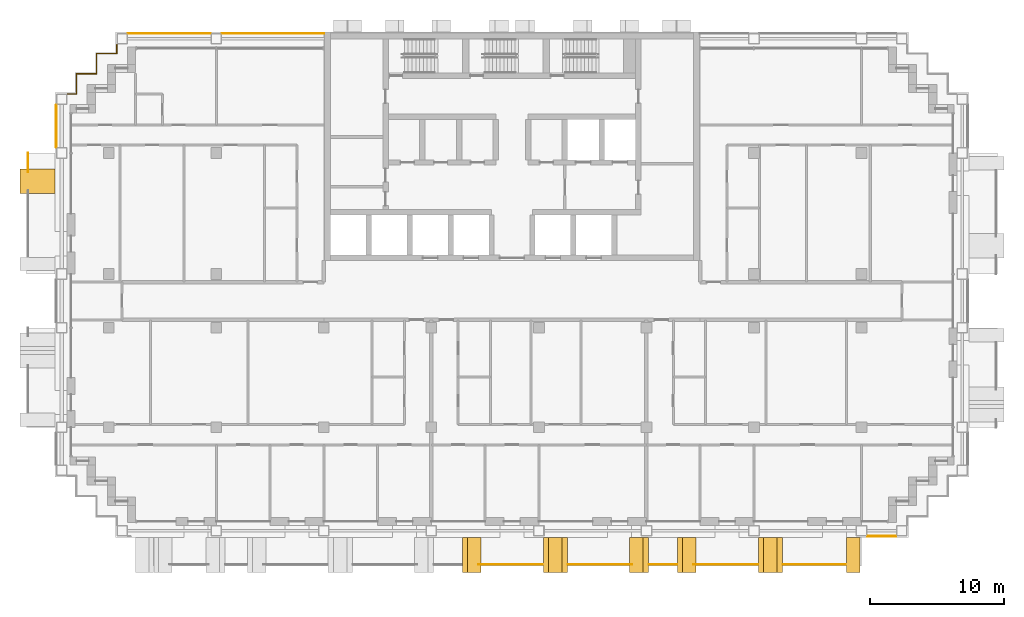
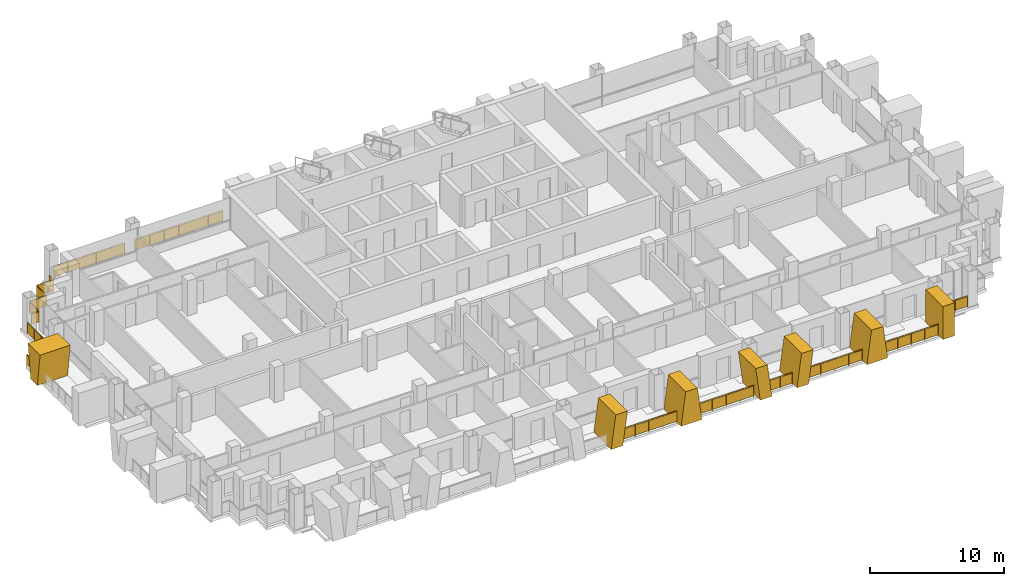
# One storey, part 14 of 16: 11 railings, 7 shading devices.
"""IFC4 building model written with IfcOpenShell, lengths in metres."""

from ifc_helpers import new_model, si_unit, direction, frame, origin, origin_2d, place, context, subcontext, project, spatial, polyline, rectangle, circle, outline, extrude, material, layer, layer_set, type_object, element, save


model = new_model("IFC4")

# Units and contexts
model_context = context("Model", 3, precision=1e-05, world=origin(), true_north=direction((0.0, 1.0)))
body_context = subcontext(model_context, "Body", "Model", "MODEL_VIEW")
ifc_project = project(units=[si_unit("LENGTHUNIT", "METRE"), si_unit("AREAUNIT", "SQUARE_METRE"), si_unit("VOLUMEUNIT", "CUBIC_METRE"), si_unit("PLANEANGLEUNIT", "RADIAN"), si_unit("MASSUNIT", "GRAM", prefix="KILO")], contexts=[model_context])

# Site, building, storey
site_placement = place(None, origin())
site = spatial("IfcSite", under=ifc_project, at=site_placement, CompositionType="ELEMENT")
building_placement = place(site_placement, origin())
building = spatial("IfcBuilding", under=site, at=building_placement, Name="Vidyagriha Tower", CompositionType="ELEMENT")
storey_placement = place(building_placement, frame((0.0, 0.0, 132.60009765625)))
storey = spatial("IfcBuildingStorey", under=building, at=storey_placement, Name="L34", CompositionType="ELEMENT", Elevation=132.60009765625)

# Railings
ifc_material_1 = material(Name="Steel ASTM A500 Grade C black painted", Category="steel")
railing_type_1 = type_object("IfcRailingType", Name="Balcony guard 1100", PredefinedType="BALUSTRADE", material=ifc_material_1)
railing_1_placement = place(storey_placement, frame((-36.0, 11.0, 0.0)))
element("IfcRailing", 1, at=railing_1_placement, inside=storey, type_object=railing_type_1, Name="Balcony guard L34 R16.1-1", PredefinedType="BALUSTRADE", context=body_context, shape_type="SweptSolid", body=[
    extrude(circle(Radius=0.02490234375, at=origin_2d()), frame((0.0, 0.0, 1.0751953125), z_axis=(0.0, -1.0, 0.0), x_axis=(1.0, 0.0, 0.0)), (0.0, 0.0, 1.0), 1.396728515625),
    extrude(circle(Radius=0.02001953125, at=origin_2d()), origin(), (0.0, 0.0, 1.0), 1.050048828125),
    extrude(circle(Radius=0.02001953125, at=origin_2d()), frame((0.0, -0.6982421875, 0.0)), (0.0, 0.0, 1.0), 1.050048828125),
    extrude(circle(Radius=0.02001953125, at=origin_2d()), frame((0.0, -1.396728515625, 0.0)), (0.0, 0.0, 1.0), 1.050048828125),
    extrude(rectangle(XDim=0.010009765625, YDim=0.900146484375, at=origin_2d()), frame((0.0, 0.0, 0.550048828125), z_axis=(0.0, -1.0, 0.0), x_axis=(1.0, 0.0, 0.0)), (0.0, 0.0, 1.0), 1.396728515625),
])
for number, where, name in (
    (2, (-2.49365234375, -19.60009765625, 0.0), "Balcony guard L34 R23.1-6"),
    (3, (4.169921875, -19.60009765625, 0.0), "Balcony guard L34 R23.1-7"),
):
    element("IfcRailing", number, at=place(storey_placement, frame(where)), inside=storey, type_object=railing_type_1, Name=name, PredefinedType="BALUSTRADE", context=body_context, shape_type="SweptSolid", body=[
        extrude(circle(Radius=0.02490234375, at=origin_2d()), frame((0.0, 0.0, 1.0751953125), z_axis=(1.0, 0.0, 0.0), x_axis=(0.0, 1.0, 0.0)), (0.0, 0.0, 1.0), 4.773681640625),
        extrude(circle(Radius=0.02001953125, at=origin_2d()), origin(), (0.0, 0.0, 1.0), 1.050048828125),
        extrude(circle(Radius=0.02001953125, at=origin_2d()), frame((1.193359375, 0.0, 0.0)), (0.0, 0.0, 1.0), 1.050048828125),
        extrude(circle(Radius=0.02001953125, at=origin_2d()), frame((2.38671875, 0.0, 0.0)), (0.0, 0.0, 1.0), 1.050048828125),
        extrude(circle(Radius=0.02001953125, at=origin_2d()), frame((3.580322265625, 0.0, 0.0)), (0.0, 0.0, 1.0), 1.050048828125),
        extrude(circle(Radius=0.02001953125, at=origin_2d()), frame((4.773681640625, 0.0, 0.0)), (0.0, 0.0, 1.0), 1.050048828125),
        extrude(rectangle(XDim=0.010009765625, YDim=0.900146484375, at=origin_2d()), frame((0.0, 0.0, 0.550048828125), z_axis=(1.0, 0.0, 0.0), x_axis=(0.0, 1.0, 0.0)), (0.0, 0.0, 1.0), 4.773681640625),
    ])
railing_2_placement = place(storey_placement, frame((10.195068359375, -19.60009765625, 0.0)))
element("IfcRailing", 4, at=railing_2_placement, inside=storey, type_object=railing_type_1, Name="Balcony guard L34 R23.1-8", PredefinedType="BALUSTRADE", context=body_context, shape_type="SweptSolid", body=[
    extrude(circle(Radius=0.02490234375, at=origin_2d()), frame((0.0, 0.0, 1.0751953125), z_axis=(1.0, 0.0, 0.0), x_axis=(0.0, 1.0, 0.0)), (0.0, 0.0, 1.0), 2.059814453125),
    extrude(circle(Radius=0.02001953125, at=origin_2d()), origin(), (0.0, 0.0, 1.0), 1.050048828125),
    extrude(circle(Radius=0.02001953125, at=origin_2d()), frame((1.02978515625, 0.0, 0.0)), (0.0, 0.0, 1.0), 1.050048828125),
    extrude(circle(Radius=0.02001953125, at=origin_2d()), frame((2.059814453125, 0.0, 0.0)), (0.0, 0.0, 1.0), 1.050048828125),
    extrude(rectangle(XDim=0.010009765625, YDim=0.900146484375, at=origin_2d()), frame((0.0, 0.0, 0.550048828125), z_axis=(1.0, 0.0, 0.0), x_axis=(0.0, 1.0, 0.0)), (0.0, 0.0, 1.0), 2.059814453125),
])
railing_3_placement = place(storey_placement, frame((13.50634765625, -19.60009765625, 0.0)))
element("IfcRailing", 5, at=railing_3_placement, inside=storey, type_object=railing_type_1, Name="Balcony guard L34 R23.1-9", PredefinedType="BALUSTRADE", context=body_context, shape_type="SweptSolid", body=[
    extrude(circle(Radius=0.02490234375, at=origin_2d()), frame((0.0, 0.0, 1.0751953125), z_axis=(1.0, 0.0, 0.0), x_axis=(0.0, 1.0, 0.0)), (0.0, 0.0, 1.0), 4.773681640625),
    extrude(circle(Radius=0.02001953125, at=origin_2d()), origin(), (0.0, 0.0, 1.0), 1.050048828125),
    extrude(circle(Radius=0.02001953125, at=origin_2d()), frame((1.193359375, 0.0, 0.0)), (0.0, 0.0, 1.0), 1.050048828125),
    extrude(circle(Radius=0.02001953125, at=origin_2d()), frame((2.38671875, 0.0, 0.0)), (0.0, 0.0, 1.0), 1.050048828125),
    extrude(circle(Radius=0.02001953125, at=origin_2d()), frame((3.580322265625, 0.0, 0.0)), (0.0, 0.0, 1.0), 1.050048828125),
    extrude(circle(Radius=0.02001953125, at=origin_2d()), frame((4.773681640625, 0.0, 0.0)), (0.0, 0.0, 1.0), 1.050048828125),
    extrude(rectangle(XDim=0.010009765625, YDim=0.900146484375, at=origin_2d()), frame((0.0, 0.0, 0.550048828125), z_axis=(1.0, 0.0, 0.0), x_axis=(0.0, 1.0, 0.0)), (0.0, 0.0, 1.0), 4.773681640625),
])
railing_4_placement = place(storey_placement, frame((20.169921875, -19.60009765625, 0.0)))
element("IfcRailing", 6, at=railing_4_placement, inside=storey, type_object=railing_type_1, Name="Balcony guard L34 R23.1-10", PredefinedType="BALUSTRADE", context=body_context, shape_type="SweptSolid", body=[
    extrude(circle(Radius=0.02490234375, at=origin_2d()), frame((0.0, 0.0, 1.0751953125), z_axis=(1.0, 0.0, 0.0), x_axis=(0.0, 1.0, 0.0)), (0.0, 0.0, 1.0), 4.655029296875),
    extrude(circle(Radius=0.02001953125, at=origin_2d()), origin(), (0.0, 0.0, 1.0), 1.050048828125),
    extrude(circle(Radius=0.02001953125, at=origin_2d()), frame((1.163818359375, 0.0, 0.0)), (0.0, 0.0, 1.0), 1.050048828125),
    extrude(circle(Radius=0.02001953125, at=origin_2d()), frame((2.32763671875, 0.0, 0.0)), (0.0, 0.0, 1.0), 1.050048828125),
    extrude(circle(Radius=0.02001953125, at=origin_2d()), frame((3.4912109375, 0.0, 0.0)), (0.0, 0.0, 1.0), 1.050048828125),
    extrude(circle(Radius=0.02001953125, at=origin_2d()), frame((4.655029296875, 0.0, 0.0)), (0.0, 0.0, 1.0), 1.050048828125),
    extrude(rectangle(XDim=0.010009765625, YDim=0.900146484375, at=origin_2d()), frame((0.0, 0.0, 0.550048828125), z_axis=(1.0, 0.0, 0.0), x_axis=(0.0, 1.0, 0.0)), (0.0, 0.0, 1.0), 4.655029296875),
])

# Shading devices
ifc_material_2 = material(Name="Precast concrete C40/50 with buff brick facing", Category="concrete")
ifc_layer_1 = layer(ifc_material_2, 1.0)
ifc_layer_set_1 = layer_set([ifc_layer_1], Name="Precast concrete C40/50 with buff brick facing")
shading_device_type_1 = type_object("IfcShadingDeviceType", Name="Brick-faced blade fin arm leaning 8 degrees", PredefinedType="USERDEFINED", material=ifc_layer_set_1)
for number, where, name in (
    (7, (-3.695068359375, -18.89990234375, 0.0), "Leaning blade fin L34 R23.2200a"),
    (8, (12.304931640625, -18.89990234375, 0.0), "Leaning blade fin L34 R23.3800a"),
):
    element("IfcShadingDevice", number, at=place(storey_placement, frame(where)), inside=storey, type_object=shading_device_type_1, Name=name, ObjectType="BLADE FIN", PredefinedType="USERDEFINED", context=body_context, shape_type="SweptSolid", body=[
        extrude(outline(polyline([(0.0, 0.0), (1.0, 0.0), (1.39501953125, 3.0), (0.39501953125, 3.0), (0.0, 0.0)])), frame((0.0, 1.300048828125, 0.0), z_axis=(0.0, -1.0, 0.0), x_axis=(1.0, 0.0, 0.0)), (0.0, 0.0, 1.0), 2.60009765625),
    ])
shading_device_1_placement = place(storey_placement, frame((8.75, -18.89990234375, 0.0)))
element("IfcShadingDevice", 9, at=shading_device_1_placement, inside=storey, type_object=shading_device_type_1, Name="Leaning blade fin L34 R23.3800b", ObjectType="BLADE FIN", PredefinedType="USERDEFINED", context=body_context, shape_type="SweptSolid", body=[
    extrude(outline(polyline([(0.39501953125, 0.0), (1.39501953125, 0.0), (1.0, 3.0), (0.0, 3.0), (0.39501953125, 0.0)])), frame((0.0, 1.300048828125, 0.0), z_axis=(0.0, -1.0, 0.0), x_axis=(1.0, 0.0, 0.0)), (0.0, 0.0, 1.0), 2.60009765625),
])
ifc_material_3 = material(Name="Precast concrete C40/50 with buff brick facing", Category="concrete")
ifc_layer_2 = layer(ifc_material_3, 1.0)
ifc_layer_set_2 = layer_set([ifc_layer_2], Name="Precast concrete C40/50 with buff brick facing")
shading_device_type_2 = type_object("IfcShadingDeviceType", Name="Brick-faced blade fin forking 8 degrees", PredefinedType="USERDEFINED", material=ifc_layer_set_2)
shading_device_2_placement = place(storey_placement, frame((-35.300048828125, 9.800048828125, 0.0), z_axis=(0.0, 0.0, 1.0), x_axis=(0.0, -1.0, 0.0)))
element("IfcShadingDevice", 10, at=shading_device_2_placement, inside=storey, type_object=shading_device_type_2, Name="Forked blade fin L34 R16.300a", ObjectType="BLADE FIN", PredefinedType="USERDEFINED", context=body_context, shape_type="SweptSolid", body=[
    extrude(outline(polyline([(0.39990234375, 0.0), (1.39990234375, 0.0), (1.800048828125, 3.0), (0.0, 3.0), (0.39990234375, 0.0)])), frame((0.0, 1.300048828125, 0.0), z_axis=(0.0, -1.0, 0.0), x_axis=(1.0, 0.0, 0.0)), (0.0, 0.0, 1.0), 2.60009765625),
])
for number, where, name in (
    (11, (2.330078125, -18.89990234375, 0.0), "Forked blade fin L34 R23.3000a"),
    (12, (18.330078125, -18.89990234375, 0.0), "Forked blade fin L34 R23.4600a"),
):
    element("IfcShadingDevice", number, at=place(storey_placement, frame(where)), inside=storey, type_object=shading_device_type_2, Name=name, ObjectType="BLADE FIN", PredefinedType="USERDEFINED", context=body_context, shape_type="SweptSolid", body=[
        extrude(outline(polyline([(0.0, 0.0), (1.7900390625, 0.0), (1.39501953125, 3.0), (0.39501953125, 3.0), (0.0, 0.0)])), frame((0.0, 1.300048828125, 0.0), z_axis=(0.0, -1.0, 0.0), x_axis=(1.0, 0.0, 0.0)), (0.0, 0.0, 1.0), 2.60009765625),
    ])
ifc_material_4 = material(Name="Precast concrete C40/50 with buff brick facing", Category="concrete")
ifc_layer_3 = layer(ifc_material_4, 1.0)
ifc_layer_set_3 = layer_set([ifc_layer_3], Name="Precast concrete C40/50 with buff brick facing")
shading_device_type_3 = type_object("IfcShadingDeviceType", Name="Brick-faced blade fin stem 1000", PredefinedType="USERDEFINED", material=ifc_layer_set_3)
shading_device_3_placement = place(storey_placement, frame((24.875, -18.89990234375, 0.0)))
element("IfcShadingDevice", 13, at=shading_device_3_placement, inside=storey, type_object=shading_device_type_3, Name="Stem blade fin L34 R23.5400a", ObjectType="BLADE FIN", PredefinedType="USERDEFINED", context=body_context, shape_type="SweptSolid", body=[
    extrude(outline(polyline([(0.0, 0.0), (1.0, 0.0), (1.0, 3.0), (0.0, 3.0), (0.0, 0.0)])), frame((0.0, 1.300048828125, 0.0), z_axis=(0.0, -1.0, 0.0), x_axis=(1.0, 0.0, 0.0)), (0.0, 0.0, 1.0), 2.60009765625),
])

# Railings
ifc_material_5 = material(Name="Steel ASTM A500 Grade C black painted", Category="steel")
railing_type_2 = type_object("IfcRailingType", Name="Gallery guard 1100", PredefinedType="GUARDRAIL", material=ifc_material_5)
railing_5_placement = place(storey_placement, frame((-33.89990234375, 11.429931640625, 0.0)))
element("IfcRailing", 14, at=railing_5_placement, inside=storey, type_object=railing_type_2, Name="Gallery guard L34 3", PredefinedType="GUARDRAIL", context=body_context, shape_type="SweptSolid", body=[
    extrude(circle(Radius=0.02490234375, at=origin_2d()), frame((0.0, 0.0, 1.0751953125), z_axis=(0.0, 1.0, 0.0), x_axis=(-1.0, 0.0, 0.0)), (0.0, 0.0, 1.0), 3.14013671875),
    extrude(circle(Radius=0.02001953125, at=origin_2d()), origin(), (0.0, 0.0, 1.0), 1.050048828125),
    extrude(circle(Radius=0.02001953125, at=origin_2d()), frame((0.0, 1.046630859375, 0.0)), (0.0, 0.0, 1.0), 1.050048828125),
    extrude(circle(Radius=0.02001953125, at=origin_2d()), frame((0.0, 2.093505859375, 0.0)), (0.0, 0.0, 1.0), 1.050048828125),
    extrude(circle(Radius=0.02001953125, at=origin_2d()), frame((0.0, 3.14013671875, 0.0)), (0.0, 0.0, 1.0), 1.050048828125),
    extrude(rectangle(XDim=0.010009765625, YDim=0.900146484375, at=origin_2d()), frame((0.0, 0.0, 0.550048828125), z_axis=(0.0, 1.0, 0.0), x_axis=(-1.0, 0.0, 0.0)), (0.0, 0.0, 1.0), 3.14013671875),
])
railing_6_placement = place(storey_placement, frame((-33.070068359375, 15.39990234375, 0.0)))
element("IfcRailing", 15, at=railing_6_placement, inside=storey, type_object=railing_type_2, Name="Gallery guard L34 5", PredefinedType="GUARDRAIL", context=body_context, shape_type="SweptSolid", body=[
    extrude(circle(Radius=0.02490234375, at=origin_2d()), frame((0.0, 0.0, 1.0751953125), z_axis=(1.0, 0.0, 0.0), x_axis=(0.0, 1.0, 0.0)), (0.0, 0.0, 1.0), 0.670166015625),
    extrude(circle(Radius=0.02490234375, at=origin_2d()), frame((0.670166015625, 0.0, 1.0751953125), z_axis=(0.0, 1.0, 0.0), x_axis=(-1.0, 0.0, 0.0)), (0.0, 0.0, 1.0), 1.5),
    extrude(circle(Radius=0.02490234375, at=origin_2d()), frame((0.670166015625, 1.5, 1.0751953125), z_axis=(1.0, 0.0, 0.0), x_axis=(0.0, 1.0, 0.0)), (0.0, 0.0, 1.0), 1.5),
    extrude(circle(Radius=0.02490234375, at=origin_2d()), frame((2.170166015625, 1.5, 1.0751953125), z_axis=(0.0, 1.0, 0.0), x_axis=(-1.0, 0.0, 0.0)), (0.0, 0.0, 1.0), 1.5),
    extrude(circle(Radius=0.02490234375, at=origin_2d()), frame((2.170166015625, 3.0, 1.0751953125), z_axis=(1.0, 0.0, 0.0), x_axis=(0.0, 1.0, 0.0)), (0.0, 0.0, 1.0), 1.5),
    extrude(circle(Radius=0.02490234375, at=origin_2d()), frame((3.670166015625, 3.0, 1.0751953125), z_axis=(0.0, 1.0, 0.0), x_axis=(-1.0, 0.0, 0.0)), (0.0, 0.0, 1.0), 0.670166015625),
    extrude(circle(Radius=0.02001953125, at=origin_2d()), origin(), (0.0, 0.0, 1.0), 1.050048828125),
    extrude(circle(Radius=0.02001953125, at=origin_2d()), frame((0.670166015625, 0.0, 0.0)), (0.0, 0.0, 1.0), 1.050048828125),
    extrude(circle(Radius=0.02001953125, at=origin_2d()), frame((0.670166015625, 1.5, 0.0)), (0.0, 0.0, 1.0), 1.050048828125),
    extrude(circle(Radius=0.02001953125, at=origin_2d()), frame((2.170166015625, 1.5, 0.0)), (0.0, 0.0, 1.0), 1.050048828125),
    extrude(circle(Radius=0.02001953125, at=origin_2d()), frame((2.170166015625, 3.0, 0.0)), (0.0, 0.0, 1.0), 1.050048828125),
    extrude(circle(Radius=0.02001953125, at=origin_2d()), frame((3.670166015625, 3.0, 0.0)), (0.0, 0.0, 1.0), 1.050048828125),
    extrude(circle(Radius=0.02001953125, at=origin_2d()), frame((3.670166015625, 3.670166015625, 0.0)), (0.0, 0.0, 1.0), 1.050048828125),
    extrude(rectangle(XDim=0.010009765625, YDim=0.900146484375, at=origin_2d()), frame((0.0, 0.0, 0.550048828125), z_axis=(1.0, 0.0, 0.0), x_axis=(0.0, 1.0, 0.0)), (0.0, 0.0, 1.0), 0.670166015625),
    extrude(rectangle(XDim=0.010009765625, YDim=0.900146484375, at=origin_2d()), frame((0.670166015625, 0.0, 0.550048828125), z_axis=(0.0, 1.0, 0.0), x_axis=(-1.0, 0.0, 0.0)), (0.0, 0.0, 1.0), 1.5),
    extrude(rectangle(XDim=0.010009765625, YDim=0.900146484375, at=origin_2d()), frame((0.670166015625, 1.5, 0.550048828125), z_axis=(1.0, 0.0, 0.0), x_axis=(0.0, 1.0, 0.0)), (0.0, 0.0, 1.0), 1.5),
    extrude(rectangle(XDim=0.010009765625, YDim=0.900146484375, at=origin_2d()), frame((2.170166015625, 1.5, 0.550048828125), z_axis=(0.0, 1.0, 0.0), x_axis=(-1.0, 0.0, 0.0)), (0.0, 0.0, 1.0), 1.5),
    extrude(rectangle(XDim=0.010009765625, YDim=0.900146484375, at=origin_2d()), frame((2.170166015625, 3.0, 0.550048828125), z_axis=(1.0, 0.0, 0.0), x_axis=(0.0, 1.0, 0.0)), (0.0, 0.0, 1.0), 1.5),
    extrude(rectangle(XDim=0.010009765625, YDim=0.900146484375, at=origin_2d()), frame((3.670166015625, 3.0, 0.550048828125), z_axis=(0.0, 1.0, 0.0), x_axis=(-1.0, 0.0, 0.0)), (0.0, 0.0, 1.0), 0.670166015625),
])
railing_7_placement = place(storey_placement, frame((-28.570068359375, 19.89990234375, 0.0)))
element("IfcRailing", 16, at=railing_7_placement, inside=storey, type_object=railing_type_2, Name="Gallery guard L34 7", PredefinedType="GUARDRAIL", context=body_context, shape_type="SweptSolid", body=[
    extrude(circle(Radius=0.02490234375, at=origin_2d()), frame((0.0, 0.0, 1.0751953125), z_axis=(1.0, 0.0, 0.0), x_axis=(0.0, 1.0, 0.0)), (0.0, 0.0, 1.0), 6.14013671875),
    extrude(circle(Radius=0.02001953125, at=origin_2d()), origin(), (0.0, 0.0, 1.0), 1.050048828125),
    extrude(circle(Radius=0.02001953125, at=origin_2d()), frame((1.22802734375, 0.0, 0.0)), (0.0, 0.0, 1.0), 1.050048828125),
    extrude(circle(Radius=0.02001953125, at=origin_2d()), frame((2.4560546875, 0.0, 0.0)), (0.0, 0.0, 1.0), 1.050048828125),
    extrude(circle(Radius=0.02001953125, at=origin_2d()), frame((3.68408203125, 0.0, 0.0)), (0.0, 0.0, 1.0), 1.050048828125),
    extrude(circle(Radius=0.02001953125, at=origin_2d()), frame((4.912109375, 0.0, 0.0)), (0.0, 0.0, 1.0), 1.050048828125),
    extrude(circle(Radius=0.02001953125, at=origin_2d()), frame((6.14013671875, 0.0, 0.0)), (0.0, 0.0, 1.0), 1.050048828125),
    extrude(rectangle(XDim=0.010009765625, YDim=0.900146484375, at=origin_2d()), frame((0.0, 0.0, 0.550048828125), z_axis=(1.0, 0.0, 0.0), x_axis=(0.0, 1.0, 0.0)), (0.0, 0.0, 1.0), 6.14013671875),
])
railing_8_placement = place(storey_placement, frame((-21.570068359375, 19.89990234375, 0.0)))
element("IfcRailing", 17, at=railing_8_placement, inside=storey, type_object=railing_type_2, Name="Gallery guard L34 8", PredefinedType="GUARDRAIL", context=body_context, shape_type="SweptSolid", body=[
    extrude(circle(Radius=0.02490234375, at=origin_2d()), frame((0.0, 0.0, 1.0751953125), z_axis=(1.0, 0.0, 0.0), x_axis=(0.0, 1.0, 0.0)), (0.0, 0.0, 1.0), 7.590087890625),
    extrude(circle(Radius=0.02001953125, at=origin_2d()), origin(), (0.0, 0.0, 1.0), 1.050048828125),
    extrude(circle(Radius=0.02001953125, at=origin_2d()), frame((1.26513671875, 0.0, 0.0)), (0.0, 0.0, 1.0), 1.050048828125),
    extrude(circle(Radius=0.02001953125, at=origin_2d()), frame((2.530029296875, 0.0, 0.0)), (0.0, 0.0, 1.0), 1.050048828125),
    extrude(circle(Radius=0.02001953125, at=origin_2d()), frame((3.794921875, 0.0, 0.0)), (0.0, 0.0, 1.0), 1.050048828125),
    extrude(circle(Radius=0.02001953125, at=origin_2d()), frame((5.06005859375, 0.0, 0.0)), (0.0, 0.0, 1.0), 1.050048828125),
    extrude(circle(Radius=0.02001953125, at=origin_2d()), frame((6.3251953125, 0.0, 0.0)), (0.0, 0.0, 1.0), 1.050048828125),
    extrude(circle(Radius=0.02001953125, at=origin_2d()), frame((7.590087890625, 0.0, 0.0)), (0.0, 0.0, 1.0), 1.050048828125),
    extrude(rectangle(XDim=0.010009765625, YDim=0.900146484375, at=origin_2d()), frame((0.0, 0.0, 0.550048828125), z_axis=(1.0, 0.0, 0.0), x_axis=(0.0, 1.0, 0.0)), (0.0, 0.0, 1.0), 7.590087890625),
])
railing_9_placement = place(storey_placement, frame((28.570068359375, -17.5, 0.0)))
element("IfcRailing", 18, at=railing_9_placement, inside=storey, type_object=railing_type_2, Name="Gallery guard L34 11", PredefinedType="GUARDRAIL", context=body_context, shape_type="SweptSolid", body=[
    extrude(circle(Radius=0.02490234375, at=origin_2d()), frame((0.0, 0.0, 1.0751953125), z_axis=(-1.0, 0.0, 0.0), x_axis=(0.0, -1.0, 0.0)), (0.0, 0.0, 1.0), 2.14013671875),
    extrude(circle(Radius=0.02001953125, at=origin_2d()), origin(), (0.0, 0.0, 1.0), 1.050048828125),
    extrude(circle(Radius=0.02001953125, at=origin_2d()), frame((-1.070068359375, 0.0, 0.0)), (0.0, 0.0, 1.0), 1.050048828125),
    extrude(circle(Radius=0.02001953125, at=origin_2d()), frame((-2.14013671875, 0.0, 0.0)), (0.0, 0.0, 1.0), 1.050048828125),
    extrude(rectangle(XDim=0.010009765625, YDim=0.900146484375, at=origin_2d()), frame((0.0, 0.0, 0.550048828125), z_axis=(-1.0, 0.0, 0.0), x_axis=(0.0, -1.0, 0.0)), (0.0, 0.0, 1.0), 2.14013671875),
])

save(model, "model.ifc")
